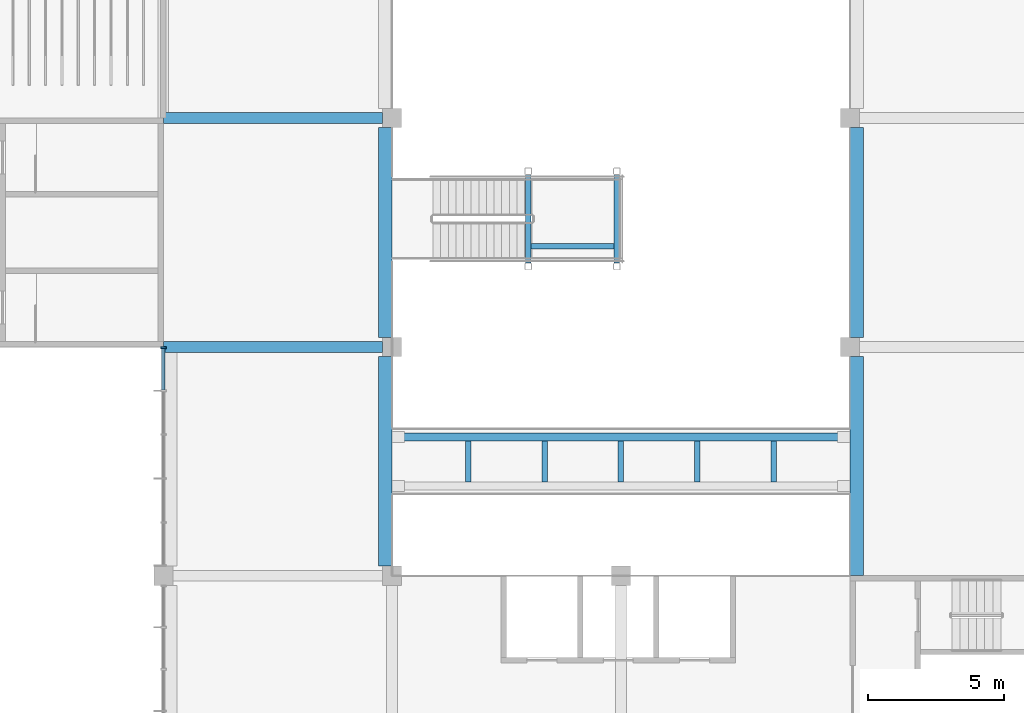
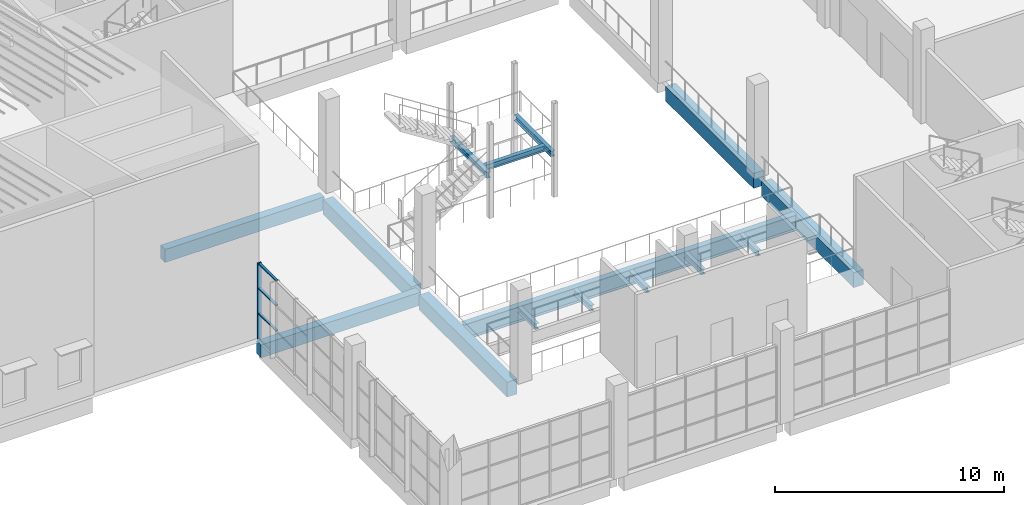
# One storey, part 7 of 82: 15 beams, 4 members, 1 element without a shape of its own.
"""IFC4 building model written with IfcOpenShell, lengths in metres."""

from ifc_helpers import new_model, si_unit, direction, frame, origin, origin_2d, place, context, subcontext, project, spatial, rectangle, i_section, extrude, material, material_profile, profile_set, type_object, element, aggregate, save


model = new_model("IFC4")

# Units and contexts
model_context = context("Model", 3, precision=1e-05, world=origin(), true_north=direction((0.0, 1.0)))
body_context = subcontext(model_context, "Body", "Model", "MODEL_VIEW")
ifc_project = project(units=[si_unit("LENGTHUNIT", "METRE"), si_unit("AREAUNIT", "SQUARE_METRE"), si_unit("VOLUMEUNIT", "CUBIC_METRE"), si_unit("PLANEANGLEUNIT", "RADIAN"), si_unit("MASSUNIT", "GRAM", prefix="KILO")], contexts=[model_context])

# Site, building, storey
site_placement = place(None, origin())
site = spatial("IfcSite", under=ifc_project, at=site_placement, CompositionType="ELEMENT")
building_placement = place(site_placement, origin())
building = spatial("IfcBuilding", under=site, at=building_placement, Name="Almond Square Museum", CompositionType="ELEMENT")
storey_placement = place(building_placement, frame((0.0, 0.0, 20.0)))
storey = spatial("IfcBuildingStorey", under=building, at=storey_placement, Name="L03", CompositionType="ELEMENT", Elevation=20.0)

# Curtain wall, members
ifc_material_1 = material(Name="Aluminium and laminated glass", Category="aluminium")
curtain_wall_type = type_object("IfcCurtainWallType", Name="Unitised curtain wall 1500 module", PredefinedType="NOTDEFINED", material=ifc_material_1)
curtain_wall_placement = place(storey_placement, origin())
curtain_wall = element("IfcCurtainWall", 1, at=curtain_wall_placement, inside=storey, type_object=curtain_wall_type, Name="Curtain wall CW-35", PredefinedType="NOTDEFINED")
ifc_material_2 = material(Name="Anodised aluminium", Category="aluminium")
ifc_material_profile_1 = material_profile(ifc_material_2, rectangle(XDim=0.199951171875, YDim=0.06005859375, at=origin_2d()))
ifc_profile_set_1 = profile_set([ifc_material_profile_1], Name="Anodised aluminium")
member_type_1 = type_object("IfcMemberType", Name="Aluminium mullion 60 x 200", PredefinedType="MULLION", material=ifc_profile_set_1)
member_1_placement = place(storey_placement, frame((73.199951171875, 83.969970703125, 0.0), z_axis=(0.0, 0.0, 1.0), x_axis=(-1.0, 0.0, 0.0)))
member_1 = element("IfcMember", 2, at=member_1_placement, type_object=member_type_1, Name="CW-35 mullion 6", PredefinedType="MULLION", context=body_context, shape_type="SweptSolid", body=[
    extrude(rectangle(XDim=0.199951171875, YDim=0.06005859375, at=origin_2d()), origin(), (0.0, 0.0, 1.0), 4.050048828125),
])
ifc_material_3 = material(Name="Anodised aluminium", Category="aluminium")
ifc_material_profile_2 = material_profile(ifc_material_3, rectangle(XDim=0.1201171875, YDim=0.06005859375, at=origin_2d()))
ifc_profile_set_2 = profile_set([ifc_material_profile_2], Name="Anodised aluminium")
member_type_2 = type_object("IfcMemberType", Name="Aluminium transom 60 x 120", PredefinedType="USERDEFINED", material=ifc_profile_set_2)
member_2_placement = place(storey_placement, frame((73.199951171875, 82.419921875, 1.35009765625), z_axis=(0.0, 1.0, 0.0), x_axis=(-1.0, 0.0, 0.0)))
member_2 = element("IfcMember", 3, at=member_2_placement, type_object=member_type_2, Name="CW-35 transom 5.2", ObjectType="TRANSOM", PredefinedType="USERDEFINED", context=body_context, shape_type="SweptSolid", body=[
    extrude(rectangle(XDim=0.1201171875, YDim=0.06005859375, at=origin_2d()), origin(), (0.0, 0.0, 1.0), 1.52001953125),
])
member_3_placement = place(storey_placement, frame((73.199951171875, 82.419921875, 2.699951171875), z_axis=(0.0, 1.0, 0.0), x_axis=(-1.0, 0.0, 0.0)))
member_3 = element("IfcMember", 4, at=member_3_placement, type_object=member_type_2, Name="CW-35 transom 5.3", ObjectType="TRANSOM", PredefinedType="USERDEFINED", context=body_context, shape_type="SweptSolid", body=[
    extrude(rectangle(XDim=0.1201171875, YDim=0.06005859375, at=origin_2d()), origin(), (0.0, 0.0, 1.0), 1.52001953125),
])
member_4_placement = place(storey_placement, frame((73.199951171875, 82.419921875, 4.02001953125), z_axis=(0.0, 1.0, 0.0), x_axis=(-1.0, 0.0, 0.0)))
member_4 = element("IfcMember", 5, at=member_4_placement, type_object=member_type_2, Name="CW-35 transom 5.4", ObjectType="TRANSOM", PredefinedType="USERDEFINED", context=body_context, shape_type="SweptSolid", body=[
    extrude(rectangle(XDim=0.1201171875, YDim=0.06005859375, at=origin_2d()), origin(), (0.0, 0.0, 1.0), 1.52001953125),
])
aggregate(curtain_wall, [member_1, member_2, member_3, member_4])

# Beams
ifc_material_4 = material(Name="Structural steel S355", Category="steel")
ifc_material_profile_3 = material_profile(ifc_material_4, i_section(OverallWidth=0.202880859375, OverallDepth=0.302001953125, WebThickness=0.007568359375, FlangeThickness=0.01318359375, at=origin_2d()))
ifc_profile_set_3 = profile_set([ifc_material_profile_3], Name="Structural steel S355")
beam_type_1 = type_object("IfcBeamType", Name="Feature stair landing beam W310x60", PredefinedType="BEAM", material=ifc_profile_set_3)
for number, where, z_axis, x_axis, name in (
    (6, (86.594970703125, 87.074951171875, 2.14892578125), (0.0, 1.0, 0.0), (-1.0, 0.0, 0.0), "L03 atrium feature stair landing beam"),
    (7, (89.85009765625, 87.074951171875, 2.14892578125), (0.0, 1.0, 0.0), (-1.0, 0.0, 0.0), "L03 atrium feature stair landing beam"),
):
    element("IfcBeam", number, at=place(storey_placement, frame(where, z_axis=z_axis, x_axis=x_axis)), inside=storey, type_object=beam_type_1, Name=name, PredefinedType="BEAM", context=body_context, shape_type="SweptSolid", body=[
        extrude(i_section(OverallWidth=0.202880859375, OverallDepth=0.302001953125, WebThickness=0.007568359375, FlangeThickness=0.01318359375, at=origin_2d()), origin(), (0.0, 0.0, 1.0), 3.25),
    ])
beam_1_placement = place(storey_placement, frame((86.696533203125, 87.699951171875, 2.14892578125), z_axis=(1.0, 0.0, 0.0), x_axis=(0.0, 1.0, 0.0)))
element("IfcBeam", 8, at=beam_1_placement, inside=storey, type_object=beam_type_1, Name="L03 atrium feature stair landing trimmer", PredefinedType="BEAM", context=body_context, shape_type="SweptSolid", body=[
    extrude(i_section(OverallWidth=0.202880859375, OverallDepth=0.302001953125, WebThickness=0.007568359375, FlangeThickness=0.01318359375, at=origin_2d()), origin(), (0.0, 0.0, 1.0), 3.052001953125),
])
ifc_material_5 = material(Name="Structural steel S355", Category="steel")
ifc_material_profile_4 = material_profile(ifc_material_5, i_section(OverallWidth=0.202880859375, OverallDepth=0.302001953125, WebThickness=0.007568359375, FlangeThickness=0.01318359375, at=origin_2d()))
ifc_profile_set_4 = profile_set([ifc_material_profile_4], Name="Structural steel S355")
beam_type_2 = type_object("IfcBeamType", Name="Floor beam W310x60", PredefinedType="BEAM", material=ifc_profile_set_4)
for number, where, z_axis, x_axis, name in (
    (9, (84.39990234375, 79.0458984375, -0.301025390625), (0.0, 1.0, 0.0), (-1.0, 0.0, 0.0), "Bridge 5 cross beam 1"),
    (10, (87.199951171875, 79.0458984375, -0.301025390625), (0.0, 1.0, 0.0), (-1.0, 0.0, 0.0), "Bridge 5 cross beam 2"),
    (11, (90.0, 79.0458984375, -0.301025390625), (0.0, 1.0, 0.0), (-1.0, 0.0, 0.0), "Bridge 5 cross beam 3"),
    (12, (92.800048828125, 79.0458984375, -0.301025390625), (0.0, 1.0, 0.0), (-1.0, 0.0, 0.0), "Bridge 5 cross beam 4"),
    (13, (95.60009765625, 79.0458984375, -0.301025390625), (0.0, 1.0, 0.0), (-1.0, 0.0, 0.0), "Bridge 5 cross beam 5"),
):
    element("IfcBeam", number, at=place(storey_placement, frame(where, z_axis=z_axis, x_axis=x_axis)), inside=storey, type_object=beam_type_2, Name=name, PredefinedType="BEAM", context=body_context, shape_type="SweptSolid", body=[
        extrude(i_section(OverallWidth=0.202880859375, OverallDepth=0.302001953125, WebThickness=0.007568359375, FlangeThickness=0.01318359375, at=origin_2d()), origin(), (0.0, 0.0, 1.0), 1.508056640625),
    ])
ifc_material_6 = material(Name="Structural steel S355", Category="steel")
ifc_material_profile_5 = material_profile(ifc_material_6, i_section(OverallWidth=0.2919921875, OverallDepth=0.8359375, WebThickness=0.013916015625, FlangeThickness=0.018798828125, at=origin_2d()))
ifc_profile_set_5 = profile_set([ifc_material_profile_5], Name="Structural steel S355")
beam_type_3 = type_object("IfcBeamType", Name="Girder W840x176", PredefinedType="BEAM", material=ifc_profile_set_5)
beam_2_placement = place(storey_placement, frame((81.60009765625, 80.699951171875, -0.568115234375), z_axis=(1.0, 0.0, 0.0), x_axis=(0.0, 1.0, 0.0)))
element("IfcBeam", 14, at=beam_2_placement, inside=storey, type_object=beam_type_3, Name="Bridge 5 girder 2", PredefinedType="BEAM", context=body_context, shape_type="SweptSolid", body=[
    extrude(i_section(OverallWidth=0.2919921875, OverallDepth=0.8359375, WebThickness=0.013916015625, FlangeThickness=0.018798828125, at=origin_2d()), origin(), (0.0, 0.0, 1.0), 16.7998046875),
])
ifc_material_7 = material(Name="Concrete C40/50", Category="concrete")
ifc_material_profile_6 = material_profile(ifc_material_7, rectangle(XDim=0.39990234375, YDim=0.699951171875, at=origin_2d()))
ifc_profile_set_6 = profile_set([ifc_material_profile_6], Name="Concrete C40/50")
beam_type_4 = type_object("IfcBeamType", Name="RC beam 400 x 700 C40/50", PredefinedType="BEAM", material=ifc_profile_set_6)
for number, where, z_axis, x_axis, name in (
    (15, (73.199951171875, 84.0, -0.60009765625), (1.0, 0.0, 0.0), (0.0, 1.0, 0.0), "Beam K 10-11 L03"),
    (16, (73.199951171875, 92.39990234375, -0.60009765625), (1.0, 0.0, 0.0), (0.0, 1.0, 0.0), "Beam L 10-11 L03"),
):
    element("IfcBeam", number, at=place(storey_placement, frame(where, z_axis=z_axis, x_axis=x_axis)), inside=storey, type_object=beam_type_4, Name=name, PredefinedType="BEAM", context=body_context, shape_type="SweptSolid", body=[
        extrude(rectangle(XDim=0.39990234375, YDim=0.699951171875, at=origin_2d()), origin(), (0.0, 0.0, 1.0), 8.050048828125),
    ])
ifc_material_8 = material(Name="Concrete C40/50", Category="concrete")
ifc_material_profile_7 = material_profile(ifc_material_8, rectangle(XDim=0.5, YDim=0.800048828125, at=origin_2d()))
ifc_profile_set_7 = profile_set([ifc_material_profile_7], Name="Concrete C40/50")
beam_type_5 = type_object("IfcBeamType", Name="RC edge beam 500 x 800 C40/50", PredefinedType="BEAM", material=ifc_profile_set_7)
for number, where, z_axis, x_axis, name in (
    (17, (81.35009765625, 75.949951171875, -0.64990234375), (0.0, 1.0, 0.0), (-1.0, 0.0, 0.0), "Edge beam 11 J-K L03"),
    (18, (81.35009765625, 84.35009765625, -0.64990234375), (0.0, 1.0, 0.0), (-1.0, 0.0, 0.0), "Edge beam 11 K-L L03"),
):
    element("IfcBeam", number, at=place(storey_placement, frame(where, z_axis=z_axis, x_axis=x_axis)), inside=storey, type_object=beam_type_5, Name=name, PredefinedType="BEAM", context=body_context, shape_type="SweptSolid", body=[
        extrude(rectangle(XDim=0.5, YDim=0.800048828125, at=origin_2d()), origin(), (0.0, 0.0, 1.0), 7.699951171875),
    ])
beam_3_placement = place(storey_placement, frame((98.64990234375, 75.60009765625, -0.64990234375), z_axis=(0.0, 1.0, 0.0), x_axis=(-1.0, 0.0, 0.0)))
element("IfcBeam", 19, at=beam_3_placement, inside=storey, type_object=beam_type_5, Name="Edge beam 13 J-K L03", PredefinedType="BEAM", context=body_context, shape_type="SweptSolid", body=[
    extrude(rectangle(XDim=0.5, YDim=0.800048828125, at=origin_2d()), origin(), (0.0, 0.0, 1.0), 8.0498046875),
])
beam_4_placement = place(storey_placement, frame((98.64990234375, 84.35009765625, -0.64990234375), z_axis=(0.0, 1.0, 0.0), x_axis=(-1.0, 0.0, 0.0)))
element("IfcBeam", 20, at=beam_4_placement, inside=storey, type_object=beam_type_5, Name="Edge beam 13 K-L L03", PredefinedType="BEAM", context=body_context, shape_type="SweptSolid", body=[
    extrude(rectangle(XDim=0.5, YDim=0.800048828125, at=origin_2d()), origin(), (0.0, 0.0, 1.0), 7.699951171875),
])

save(model, "model.ifc")
